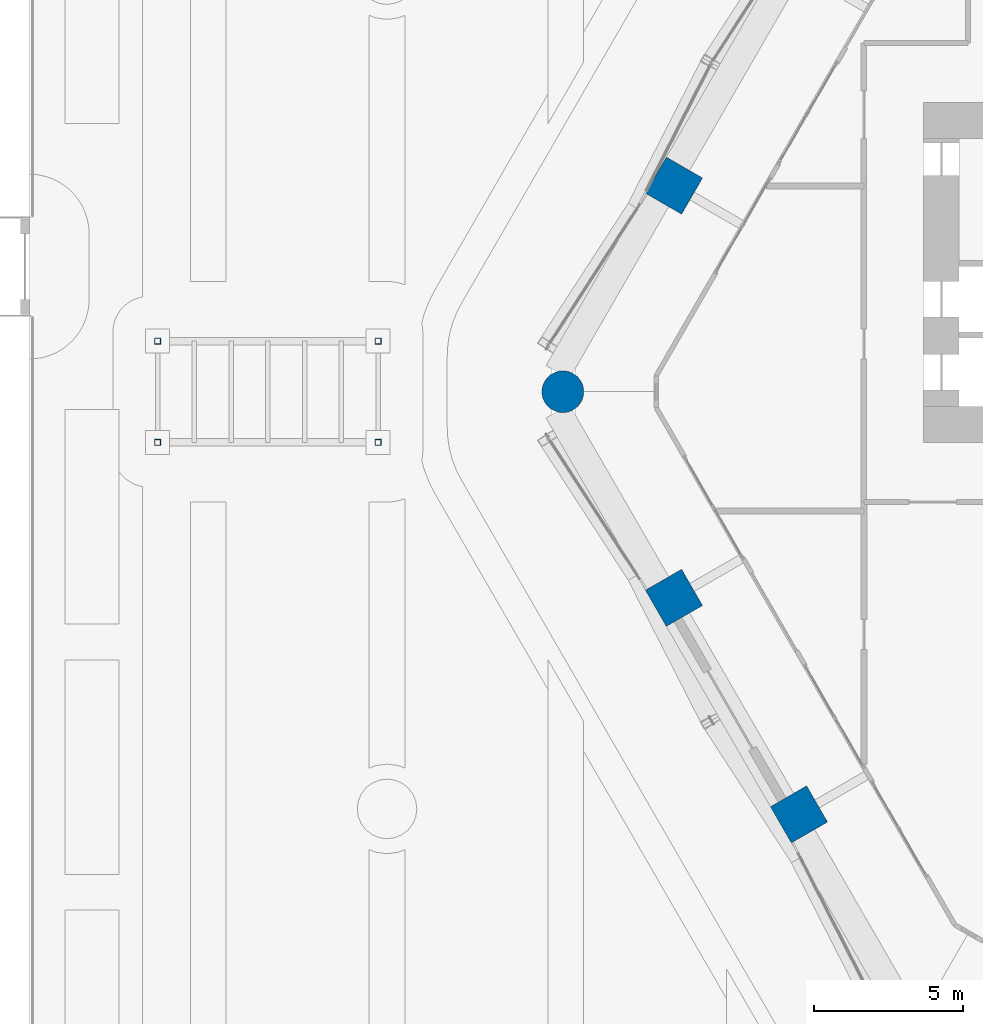
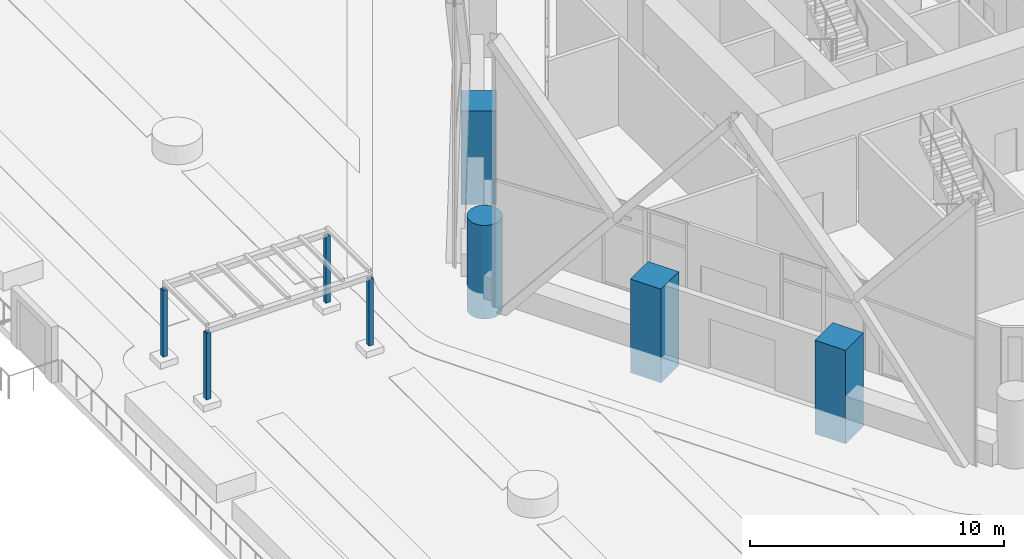
# One storey, part 3 of 71: 8 columns.
"""IFC4 building model written with IfcOpenShell, lengths in metres."""

from ifc_helpers import new_model, si_unit, direction, frame, origin, origin_2d, place, context, subcontext, project, spatial, rectangle, hollow_rectangle, circle, extrude, material, material_profile, profile_set, type_object, element, save


model = new_model("IFC4")

# Units and contexts
model_context = context("Model", 3, precision=1e-05, world=origin(), true_north=direction((0.0, 1.0)))
body_context = subcontext(model_context, "Body", "Model", "MODEL_VIEW")
ifc_project = project(units=[si_unit("LENGTHUNIT", "METRE"), si_unit("AREAUNIT", "SQUARE_METRE"), si_unit("VOLUMEUNIT", "CUBIC_METRE"), si_unit("PLANEANGLEUNIT", "RADIAN"), si_unit("MASSUNIT", "GRAM", prefix="KILO")], contexts=[model_context])

# Site, building, storey
site_placement = place(None, origin())
site = spatial("IfcSite", under=ifc_project, at=site_placement, CompositionType="ELEMENT")
building_placement = place(site_placement, origin())
building = spatial("IfcBuilding", under=site, at=building_placement, Name="Ostrander Bayou Hotel Tower", CompositionType="ELEMENT")
storey_placement = place(building_placement, frame((0.0, 0.0, 10.0)))
storey = spatial("IfcBuildingStorey", under=building, at=storey_placement, Name="L02", CompositionType="ELEMENT", Elevation=10.0)

# Columns
ifc_material_1 = material(Name="Concrete f'c 70 MPa", Category="concrete")
ifc_material_profile_1 = material_profile(ifc_material_1, circle(Radius=0.699951171875, at=origin_2d()))
ifc_profile_set_1 = profile_set([ifc_material_profile_1], Name="Concrete f'c 70 MPa")
column_type_1 = type_object("IfcColumnType", Name="C1 round column 1400 mm f'c 70 MPa", PredefinedType="COLUMN", material=ifc_profile_set_1)
column_placement = place(storey_placement, frame((-24.101318359375, 0.0, -1.199951171875), z_axis=(0.0, 0.0, 1.0), x_axis=(1.0, 0.0, 0.0)))
element("IfcColumn", 1, at=column_placement, inside=storey, type_object=column_type_1, Name="C1 L02 K1", PredefinedType="COLUMN", context=body_context, shape_type="SweptSolid", body=[
    extrude(circle(Radius=0.699951171875, at=origin_2d()), origin(), (0.0, 0.0, 1.0), 4.5),
])
ifc_material_2 = material(Name="Concrete f'c 70 MPa", Category="concrete")
ifc_material_profile_2 = material_profile(ifc_material_2, rectangle(XDim=1.39990234375, YDim=1.39990234375, at=origin_2d()))
ifc_profile_set_2 = profile_set([ifc_material_profile_2], Name="Concrete f'c 70 MPa")
column_type_2 = type_object("IfcColumnType", Name="C2 square column 1400 x 1400 mm f'c 70 MPa", PredefinedType="COLUMN", material=ifc_profile_set_2)
for number, where, z_axis, x_axis, name in (
    (2, (-20.370849609375, 6.916748046875, -1.199951171875), (0.0, 0.0, 1.0), (0.5, 0.866025403784, 0.0), "C2 L02 NW2"),
    (3, (-20.370849609375, -6.916748046875, -1.199951171875), (0.0, 0.0, 1.0), (-0.5, 0.866025403784, 0.0), "C2 L02 SW1"),
    (4, (-16.17529296875, -14.183349609375, -1.199951171875), (0.0, 0.0, 1.0), (-0.5, 0.866025403784, 0.0), "C2 L02 SW2"),
):
    element("IfcColumn", number, at=place(storey_placement, frame(where, z_axis=z_axis, x_axis=x_axis)), inside=storey, type_object=column_type_2, Name=name, PredefinedType="COLUMN", context=body_context, shape_type="SweptSolid", body=[
        extrude(rectangle(XDim=1.39990234375, YDim=1.39990234375, at=origin_2d()), origin(), (0.0, 0.0, 1.0), 4.5),
    ])
ifc_material_3 = material(Name="Steel ASTM A500 Gr C", Category="steel")
ifc_material_profile_3 = material_profile(ifc_material_3, hollow_rectangle(XDim=0.203125, YDim=0.203125, WallThickness=0.01171875, at=origin_2d()))
ifc_profile_set_3 = profile_set([ifc_material_profile_3], Name="Steel ASTM A500 Gr C")
column_type_3 = type_object("IfcColumnType", Name="PG1 pergola post HSS8x8x1/2", PredefinedType="COLUMN", material=ifc_profile_set_3)
for number, where, z_axis, x_axis, name in (
    (5, (-37.699951171875, -1.699951171875, 0.300048828125), (0.0, 0.0, 1.0), (1.0, 0.0, 0.0), "PG1 pergola 4 post 1"),
    (6, (-30.300048828125, -1.699951171875, 0.300048828125), (0.0, 0.0, 1.0), (1.0, 0.0, 0.0), "PG1 pergola 4 post 2"),
    (7, (-30.300048828125, 1.699951171875, 0.300048828125), (0.0, 0.0, 1.0), (1.0, 0.0, 0.0), "PG1 pergola 4 post 3"),
    (8, (-37.699951171875, 1.699951171875, 0.300048828125), (0.0, 0.0, 1.0), (1.0, 0.0, 0.0), "PG1 pergola 4 post 4"),
):
    element("IfcColumn", number, at=place(storey_placement, frame(where, z_axis=z_axis, x_axis=x_axis)), inside=storey, type_object=column_type_3, Name=name, PredefinedType="COLUMN", context=body_context, shape_type="SweptSolid", body=[
        extrude(hollow_rectangle(XDim=0.203125, YDim=0.203125, WallThickness=0.01171875, at=origin_2d()), origin(), (0.0, 0.0, 1.0), 3.199951171875),
    ])

save(model, "model.ifc")
